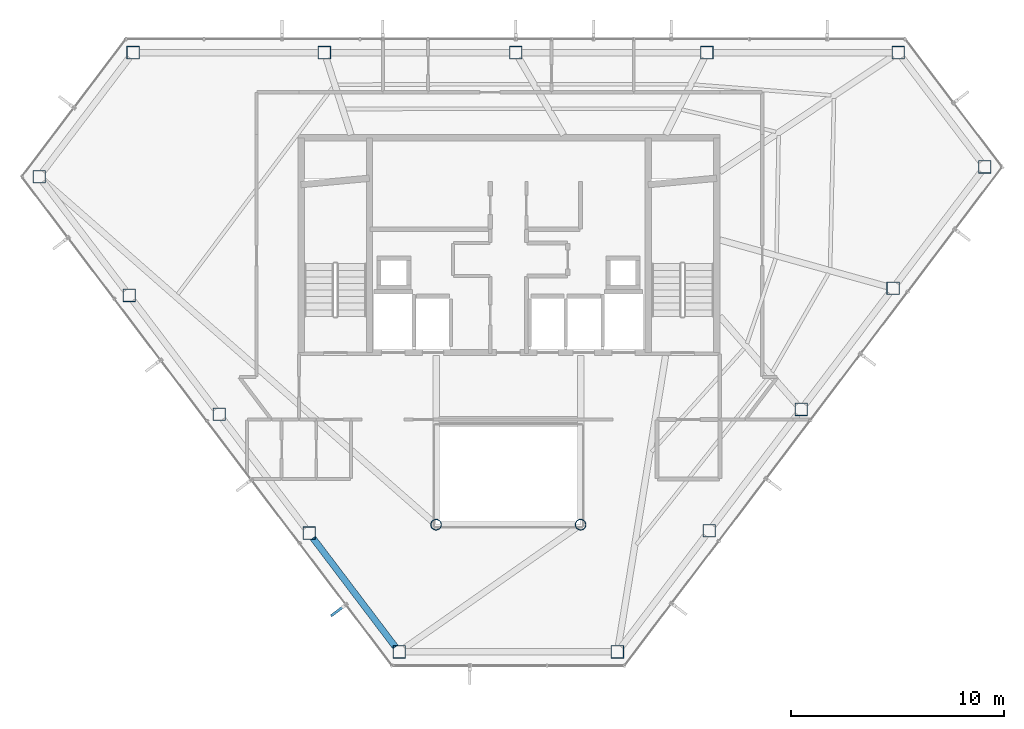
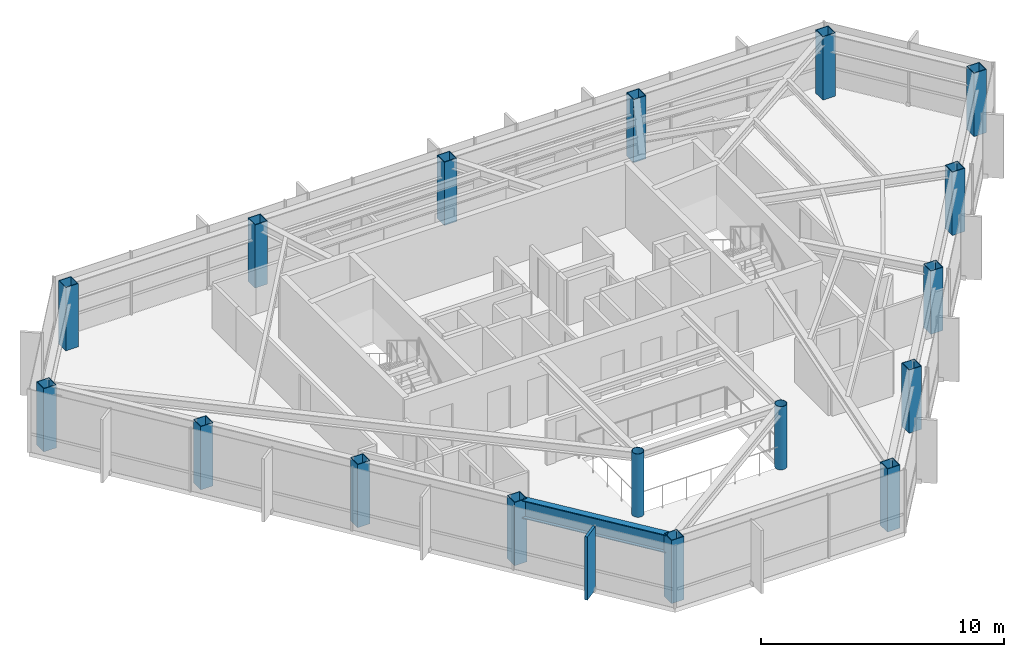
# One storey, part 1 of 25: 17 columns, 1 beam, 1 member, 1 element without a shape of its own.
"""IFC4 building model written with IfcOpenShell, lengths in metres."""

from ifc_helpers import new_model, si_unit, direction, frame, origin, origin_2d, place, context, subcontext, project, spatial, rectangle, hollow_rectangle, hollow_circle, i_section, extrude, material, layer, layer_set, material_profile, profile_set, type_object, element, aggregate, save


model = new_model("IFC4")

# Units and contexts
model_context = context("Model", 3, precision=1e-05, world=origin(), true_north=direction((0.0, 1.0)))
body_context = subcontext(model_context, "Body", "Model", "MODEL_VIEW")
ifc_project = project(units=[si_unit("LENGTHUNIT", "METRE"), si_unit("AREAUNIT", "SQUARE_METRE"), si_unit("VOLUMEUNIT", "CUBIC_METRE"), si_unit("PLANEANGLEUNIT", "RADIAN"), si_unit("MASSUNIT", "GRAM", prefix="KILO")], contexts=[model_context])

# Site, building, storey
site_placement = place(None, origin())
site = spatial("IfcSite", under=ifc_project, at=site_placement, CompositionType="ELEMENT")
building_placement = place(site_placement, origin())
building = spatial("IfcBuilding", under=site, at=building_placement, Name="Zarrinselat Tower", CompositionType="ELEMENT")
storey_placement = place(building_placement, frame((0.0, 0.0, 242.760009765625)))
storey = spatial("IfcBuildingStorey", under=building, at=storey_placement, Name="L61", CompositionType="ELEMENT", Elevation=242.760009765625)

# Columns
ifc_material_1 = material(Name="Steel S355J2", Category="steel")
ifc_material_profile_1 = material_profile(ifc_material_1, hollow_circle(Radius=0.25390625, WallThickness=0.02001953125, at=origin_2d()), Name="CHS 508x20")
ifc_profile_set_1 = profile_set([ifc_material_profile_1], Name="Steel S355J2")
column_type_1 = type_object("IfcColumnType", Name="COL-CHS508", PredefinedType="COLUMN", material=ifc_profile_set_1)
for number, where, z_axis, x_axis, name in (
    (1, (35.0, 25.199951171875, 0.0), (0.0, 0.0, 1.0), (1.0, 0.0, 0.0), "L61 Atrium Corner Column 1"),
    (2, (41.800048828125, 25.199951171875, 0.0), (0.0, 0.0, 1.0), (1.0, 0.0, 0.0), "L61 Atrium Corner Column 2"),
):
    element("IfcColumn", number, at=place(storey_placement, frame(where, z_axis=z_axis, x_axis=x_axis)), inside=storey, type_object=column_type_1, Name=name, PredefinedType="COLUMN", context=body_context, shape_type="SweptSolid", body=[
        extrude(hollow_circle(Radius=0.25390625, WallThickness=0.02001953125, at=origin_2d()), origin(), (0.0, 0.0, 1.0), 3.179931640625),
    ])
ifc_material_2 = material(Name="Steel S355J2", Category="steel")
ifc_material_profile_2 = material_profile(ifc_material_2, hollow_rectangle(XDim=0.60009765625, YDim=0.60009765625, WallThickness=0.030029296875, at=origin_2d()), Name="SHS 600x600x30")
ifc_profile_set_2 = profile_set([ifc_material_profile_2], Name="Steel S355J2")
column_type_2 = type_object("IfcColumnType", Name="COL-SHS600", PredefinedType="COLUMN", material=ifc_profile_set_2)
for number, where, z_axis, x_axis, name in (
    (3, (56.74560546875, 47.4111328125, 0.0), (0.0, 0.0, 1.0), (1.0, 0.0, 0.0), "L61 Framed-Tube Column T01"),
    (4, (47.7451171875, 47.4111328125, 0.0), (0.0, 0.0, 1.0), (1.0, 0.0, 0.0), "L61 Framed-Tube Column T02"),
    (5, (38.744873046875, 47.4111328125, 0.0), (0.0, 0.0, 1.0), (1.0, 0.0, 0.0), "L61 Framed-Tube Column T03"),
    (6, (29.744384765625, 47.4111328125, 0.0), (0.0, 0.0, 1.0), (1.0, 0.0, 0.0), "L61 Framed-Tube Column T04"),
    (7, (20.743896484375, 47.4111328125, 0.0), (0.0, 0.0, 1.0), (1.0, 0.0, 0.0), "L61 Framed-Tube Column T05"),
    (8, (16.3232421875, 41.57568359375, 0.0), (0.0, 0.0, 1.0), (1.0, 0.0, 0.0), "L61 Framed-Tube Column T06"),
    (9, (20.55859375, 35.98486328125, 0.0), (0.0, 0.0, 1.0), (1.0, 0.0, 0.0), "L61 Framed-Tube Column T07"),
    (10, (24.7939453125, 30.394287109375, 0.0), (0.0, 0.0, 1.0), (1.0, 0.0, 0.0), "L61 Framed-Tube Column T08"),
    (11, (29.029296875, 24.803466796875, 0.0), (0.0, 0.0, 1.0), (1.0, 0.0, 0.0), "L61 Framed-Tube Column T09"),
    (12, (33.264892578125, 19.212646484375, 0.0), (0.0, 0.0, 1.0), (1.0, 0.0, 0.0), "L61 Framed-Tube Column T10"),
    (13, (43.53515625, 19.212646484375, 0.0), (0.0, 0.0, 1.0), (1.0, 0.0, 0.0), "L61 Framed-Tube Column T11"),
    (14, (47.856689453125, 24.917236328125, 0.0), (0.0, 0.0, 1.0), (1.0, 0.0, 0.0), "L61 Framed-Tube Column T12"),
    (15, (52.178466796875, 30.62158203125, 0.0), (0.0, 0.0, 1.0), (1.0, 0.0, 0.0), "L61 Framed-Tube Column T13"),
    (16, (56.5, 36.326416015625, 0.0), (0.0, 0.0, 1.0), (1.0, 0.0, 0.0), "L61 Framed-Tube Column T14"),
    (17, (60.821533203125, 42.03076171875, 0.0), (0.0, 0.0, 1.0), (1.0, 0.0, 0.0), "L61 Framed-Tube Column T15"),
):
    element("IfcColumn", number, at=place(storey_placement, frame(where, z_axis=z_axis, x_axis=x_axis)), inside=storey, type_object=column_type_2, Name=name, PredefinedType="COLUMN", context=body_context, shape_type="SweptSolid", body=[
        extrude(hollow_rectangle(XDim=0.60009765625, YDim=0.60009765625, WallThickness=0.030029296875, at=origin_2d()), origin(), (0.0, 0.0, 1.0), 3.179931640625),
    ])

# Beam
ifc_material_3 = material(Name="Steel S460M", Category="steel")
ifc_material_profile_3 = material_profile(ifc_material_3, i_section(OverallWidth=0.302001953125, OverallDepth=0.909912109375, WebThickness=0.02099609375, FlangeThickness=0.0400390625, at=origin_2d()), Name="HEM 900")
ifc_profile_set_3 = profile_set([ifc_material_profile_3], Name="Steel S460M")
beam_type = type_object("IfcBeamType", Name="BM-HEM900", PredefinedType="BEAM", material=ifc_profile_set_3)
beam_placement = place(storey_placement, frame((29.203369140625, 24.573974609375, 2.72509765625), z_axis=(0.603846005737, -0.797100998215, 0.0), x_axis=(0.797100998215, 0.603846005737, 0.0)))
element("IfcBeam", 18, at=beam_placement, inside=storey, type_object=beam_type, Name="L61 Perimeter Spandrel Girder SP09", PredefinedType="BEAM", context=body_context, shape_type="SweptSolid", body=[
    extrude(i_section(OverallWidth=0.302001953125, OverallDepth=0.909912109375, WebThickness=0.02099609375, FlangeThickness=0.0400390625, at=origin_2d()), origin(), (0.0, 0.0, 1.0), 6.437744140625),
])

# Curtain wall, member
ifc_material_4 = material(Name="Extruded Aluminium Alloy EN AW-6063 T6", Category="aluminium")
ifc_layer = layer(ifc_material_4, 0.169921875)
ifc_layer_set = layer_set([ifc_layer], Name="Extruded Aluminium Alloy EN AW-6063 T6")
curtain_wall_type = type_object("IfcCurtainWallType", Name="CWS-RES", PredefinedType="NOTDEFINED", material=ifc_layer_set)
curtain_wall_placement = place(storey_placement, origin())
curtain_wall = element("IfcCurtainWall", 19, at=curtain_wall_placement, inside=storey, type_object=curtain_wall_type, Name="L61 Unitised Curtain Wall CW-L61-E03", PredefinedType="NOTDEFINED")
ifc_material_5 = material(Name="Honed Cream Travertine Stone", Category="masonry")
ifc_material_profile_4 = material_profile(ifc_material_5, rectangle(XDim=0.1201171875, YDim=0.85009765625, at=origin_2d()), Name="FIN 850x120")
ifc_profile_set_4 = profile_set([ifc_material_profile_4], Name="Honed Cream Travertine Stone")
member_type = type_object("IfcMemberType", Name="MEM-STONE-FIN", PredefinedType="USERDEFINED", material=ifc_profile_set_4)
member_placement = place(storey_placement, frame((30.395751953125, 21.16162109375, 0.0), z_axis=(0.0, 0.0, 1.0), x_axis=(-0.603857888062, 0.797091996588, 0.0)))
member = element("IfcMember", 20, at=member_placement, type_object=member_type, Name="L61 Stone Shading Fin CW-L61-E03-07", ObjectType="FIN", PredefinedType="USERDEFINED", context=body_context, shape_type="SweptSolid", body=[
    extrude(rectangle(XDim=0.1201171875, YDim=0.85009765625, at=origin_2d()), origin(), (0.0, 0.0, 1.0), 3.179931640625),
])
aggregate(curtain_wall, [member])

save(model, "model.ifc")
